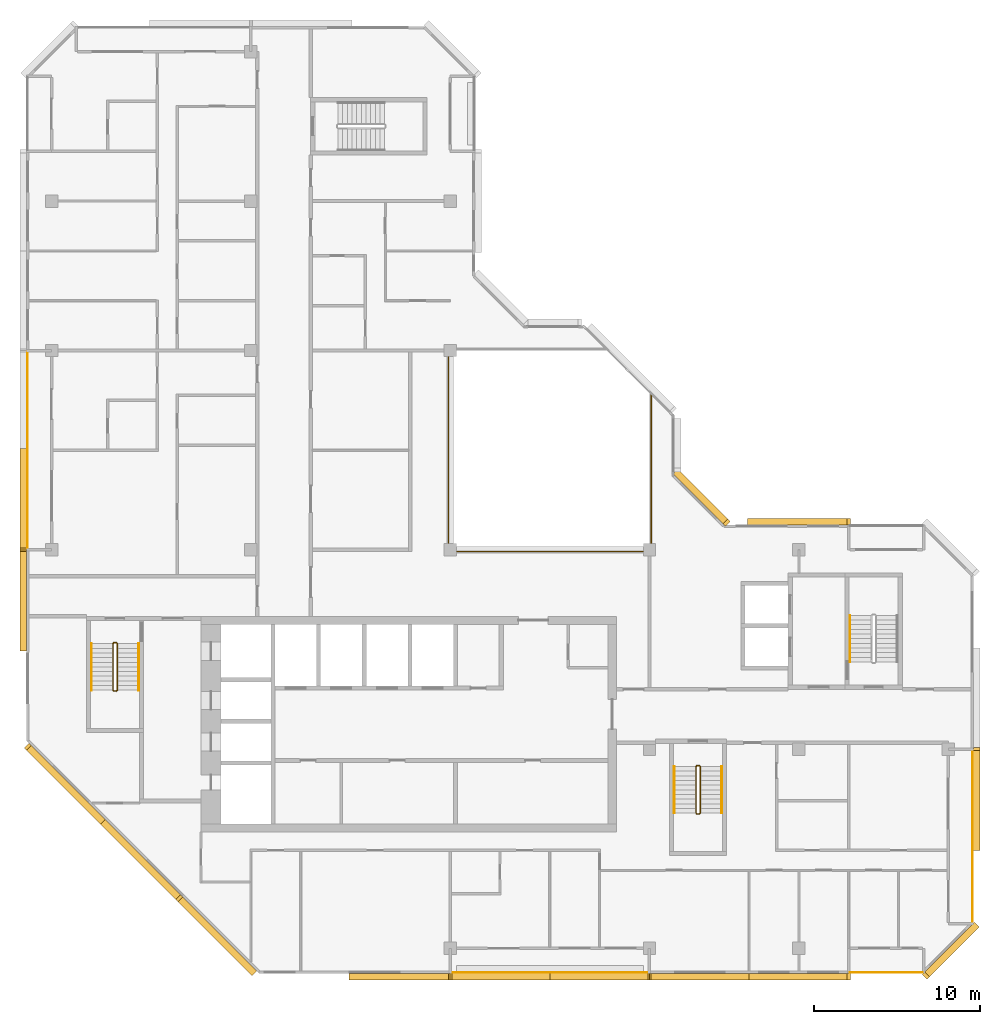
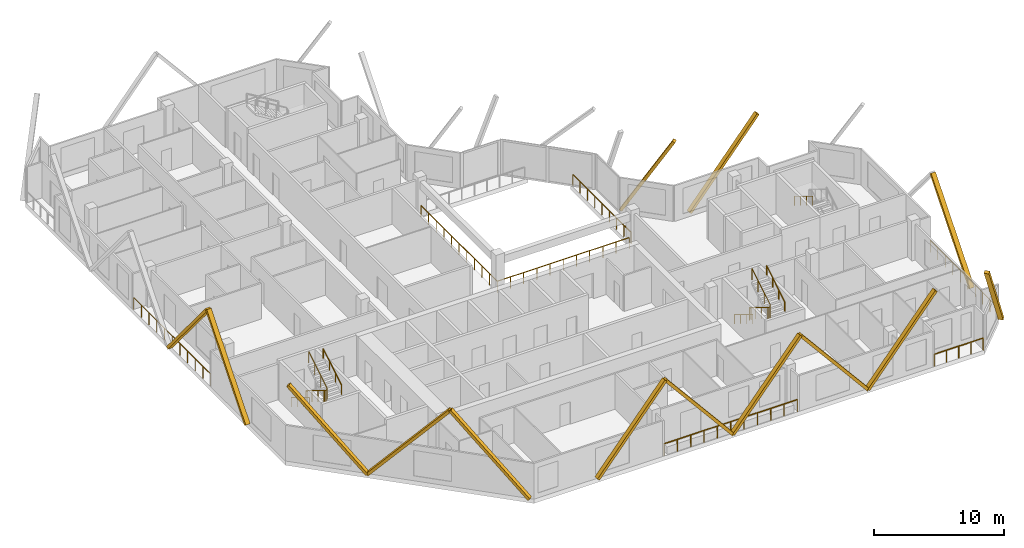
# One storey, part 11 of 12: 14 coverings, 13 railings.
"""IFC4 building model written with IfcOpenShell, lengths in metres."""

import ifcopenshell
import ifcopenshell.guid

model = None  # the IFC model being written
_history = None  # IfcOwnerHistory: only IFC2X3 demands one
_inside = {}  # id of a spatial element -> (the spatial element, [elements in it])
_under = {}  # id of a project, library or spatial element -> (it, [spatial elements below it])
_declared = {}  # id of a project -> (the project, [libraries it declares])
_typed = {}  # id of a type object -> (the type object, [elements of that type])
_made_of = {}  # id of a material, layer set ... -> (it, [elements and type objects made of it])


def new_model(schema):
    """Start an empty IFC model of exactly this schema.

    Asked for "IFC4X3", IfcOpenShell would pick the latest addendum, in which some entities
    have other attributes; the version numbers below select the first issue.
    IFC2X3 requires an IfcOwnerHistory on every rooted entity: one is made here for all.
    """
    global model, _history
    if schema == "IFC4X3":
        model = ifcopenshell.file(schema_version=(4, 3, 0, 0))
    else:
        model = ifcopenshell.file(schema=schema)
    _inside.clear()
    _under.clear()
    _declared.clear()
    _typed.clear()
    _made_of.clear()
    _history = None
    if model.schema == "IFC2X3":
        org = make("IfcOrganization", Name="unknown")
        user = make(
            "IfcPersonAndOrganization",
            ThePerson=make("IfcPerson", FamilyName="unknown"),
            TheOrganization=org,
        )
        app = make(
            "IfcApplication",
            ApplicationDeveloper=org,
            Version="unknown",
            ApplicationFullName="unknown",
            ApplicationIdentifier="unknown",
        )
        _history = make(
            "IfcOwnerHistory",
            OwningUser=user,
            OwningApplication=app,
            ChangeAction="ADDED",
            CreationDate=0,
        )
    return model


def make(cls, **values):
    """One entity of the class cls with the attributes given. An attribute that is None is left unset."""
    return model.create_entity(
        cls, **{name: value for name, value in values.items() if value is not None}
    )


def rooted(cls, **values):
    """An entity with a GlobalId (a new one), such as an element, a storey or a relation."""
    return make(cls, GlobalId=ifcopenshell.guid.new(), OwnerHistory=_history, **values)


def si_unit(unit_type, name, prefix=None):
    """IfcSIUnit, for example si_unit("LENGTHUNIT", "METRE", prefix="MILLI")."""
    return make("IfcSIUnit", UnitType=unit_type, Prefix=prefix, Name=name)


def assignment(units):
    """IfcUnitAssignment: the units of a project."""
    return None if units is None else make("IfcUnitAssignment", Units=units)


def point(xyz):
    """IfcCartesianPoint."""
    return None if xyz is None else make("IfcCartesianPoint", Coordinates=xyz)


def direction(xyz):
    """IfcDirection."""
    return None if xyz is None else make("IfcDirection", DirectionRatios=xyz)


def frame(location, z_axis=None, x_axis=None):
    """IfcAxis2Placement3D, a coordinate frame: its origin and axes. An axis left out is left unset."""
    return make(
        "IfcAxis2Placement3D",
        Location=point(location),
        Axis=direction(z_axis),
        RefDirection=direction(x_axis),
    )


def frame_2d(location, x_axis=None):
    """IfcAxis2Placement2D, a coordinate frame in the plane: its origin and x axis."""
    return make(
        "IfcAxis2Placement2D", Location=point(location), RefDirection=direction(x_axis)
    )


def origin():
    """The frame at (0, 0, 0) with its axes left unset."""
    return frame((0.0, 0.0, 0.0))


def origin_2d():
    """The frame at (0, 0) in the plane with its x axis left unset."""
    return frame_2d((0.0, 0.0))


def place(relative_to, where):
    """IfcLocalPlacement: puts the frame where relative to a parent placement (None: the world)."""
    return make(
        "IfcLocalPlacement", PlacementRelTo=relative_to, RelativePlacement=where
    )


def context(
    kind, dimensions, precision=None, world=None, true_north=None, identifier=None
):
    """IfcGeometricRepresentationContext, for example the 3D "Model" context."""
    return make(
        "IfcGeometricRepresentationContext",
        ContextIdentifier=identifier,
        ContextType=kind,
        CoordinateSpaceDimension=dimensions,
        Precision=precision,
        WorldCoordinateSystem=world,
        TrueNorth=true_north,
    )


def subcontext(parent, identifier, kind, view, scale=None):
    """IfcGeometricRepresentationSubContext, for example "Body" below "Model"."""
    return make(
        "IfcGeometricRepresentationSubContext",
        ContextIdentifier=identifier,
        ContextType=kind,
        ParentContext=parent,
        TargetScale=scale,
        TargetView=view,
    )


def project(units=None, contexts=None):
    """IfcProject with its units and contexts."""
    return rooted(
        "IfcProject",
        Name="project",
        RepresentationContexts=contexts,
        UnitsInContext=assignment(units),
    )


def spatial(cls, under=None, at=None, **own):
    """A site, building, storey or space (cls), placed at a placement, below another one or the project."""
    s = rooted(cls, ObjectPlacement=at, **own)
    if under is not None:
        _under.setdefault(under.id(), (under, []))[1].append(s)
    return s


def profile(cls, at=None, kind="AREA", **sizes):
    """A parametric profile (cls). Its sizes go by their IFC names, for example OverallWidth=200.0."""
    return make(cls, ProfileType=kind, Position=at, **sizes)


def rectangle(**sizes):
    """IfcRectangleProfileDef."""
    return profile("IfcRectangleProfileDef", **sizes)


def extrude(swept, where, along, depth):
    """IfcExtrudedAreaSolid: the profile swept, set in the frame where, extruded along a direction by depth."""
    return make(
        "IfcExtrudedAreaSolid",
        SweptArea=swept,
        Position=where,
        ExtrudedDirection=direction(along),
        Depth=depth,
    )


def shape(context_of_items, identifier, shape_type, items):
    """IfcShapeRepresentation: the items that make up one representation, for example the "Body"."""
    return make(
        "IfcShapeRepresentation",
        ContextOfItems=context_of_items,
        RepresentationIdentifier=identifier,
        RepresentationType=shape_type,
        Items=items,
    )


def material(Name=None, Category=None):
    """IfcMaterial."""
    return make("IfcMaterial", Name=Name, Category=Category)


def material_profile(
    of_material, cross_section, Name=None, Category=None, Priority=None
):
    """IfcMaterialProfile: a cross section and its material."""
    return make(
        "IfcMaterialProfile",
        Name=Name,
        Material=of_material,
        Profile=cross_section,
        Priority=Priority,
        Category=Category,
    )


def profile_set(profiles, Name=None, composite=None):
    """IfcMaterialProfileSet."""
    return make(
        "IfcMaterialProfileSet",
        Name=Name,
        MaterialProfiles=profiles,
        CompositeProfile=composite,
    )


def made_of(thing, what):
    """Note that an element or type object is made of a material, layer set ...; save() writes the relation."""
    if what is not None:
        _made_of.setdefault(what.id(), (what, []))[1].append(thing)
    return thing


def type_object(cls, material=None, **own):
    """A type object (cls), such as IfcWallType, which elements share."""
    return made_of(rooted(cls, **own), material)


def element(
    cls,
    number,
    at=None,
    inside=None,
    cuts=None,
    type_object=None,
    material=None,
    context=None,
    identifier="Body",
    shape_type=None,
    held_by="IfcProductDefinitionShape",
    body=None,
    shapes=None,
    **own,
):
    """One element of the class cls, such as IfcWall. Its Tag is "e" and its number.

    at: its placement. inside: the storey or other place that contains it. cuts: it is an
    opening in that element (IfcRelVoidsElement). A single representation is given by context,
    identifier, shape_type and body (its items); several are given by shapes. held_by: the class
    of the entity that holds the representations. save() writes the other relations.
    """
    e = rooted(cls, Tag="e%d" % number, ObjectPlacement=at, **own)
    if body is not None:
        shapes = [shape(context, identifier, shape_type, body)]
    if shapes is not None:
        e.Representation = make(held_by, Representations=shapes)
    if inside is not None:
        _inside.setdefault(inside.id(), (inside, []))[1].append(e)
    if cuts is not None:
        rooted(
            "IfcRelVoidsElement", RelatingBuildingElement=cuts, RelatedOpeningElement=e
        )
    if type_object is not None:
        _typed.setdefault(type_object.id(), (type_object, []))[1].append(e)
    return made_of(e, material)


def aggregate(whole, parts):
    """IfcRelAggregates: a whole, such as a stair, and the parts it consists of."""
    return rooted("IfcRelAggregates", RelatingObject=whole, RelatedObjects=parts)


def save(model, path):
    """Write the relations noted so far, then the file.

    IfcRelAggregates (storeys below a building ...), IfcRelContainedInSpatialStructure (elements
    in a storey), IfcRelDefinesByType, IfcRelAssociatesMaterial and IfcRelDeclares: one each for
    every whole, place, type object, material and project.
    """
    for whole, parts in _under.values():
        aggregate(whole, parts)
    for where, things in _inside.values():
        rooted(
            "IfcRelContainedInSpatialStructure",
            RelatedElements=things,
            RelatingStructure=where,
        )
    for kind, things in _typed.values():
        rooted("IfcRelDefinesByType", RelatedObjects=things, RelatingType=kind)
    for what, things in _made_of.values():
        rooted("IfcRelAssociatesMaterial", RelatedObjects=things, RelatingMaterial=what)
    for by, libraries in _declared.values():
        rooted("IfcRelDeclares", RelatingContext=by, RelatedDefinitions=libraries)
    model.write(path)


model = new_model("IFC4")

# Units and contexts
model_context = context("Model", 3, precision=1e-05, world=origin(), true_north=direction((0.0, 1.0)))
body_context = subcontext(model_context, "Body", "Model", "MODEL_VIEW")
ifc_project = project(units=[si_unit("LENGTHUNIT", "METRE"), si_unit("AREAUNIT", "SQUARE_METRE"), si_unit("VOLUMEUNIT", "CUBIC_METRE"), si_unit("PLANEANGLEUNIT", "RADIAN"), si_unit("MASSUNIT", "GRAM", prefix="KILO")], contexts=[model_context])

# Site, building, storey
site_placement = place(None, origin())
site = spatial("IfcSite", under=ifc_project, at=site_placement, CompositionType="ELEMENT")
building_placement = place(site_placement, origin())
building = spatial("IfcBuilding", under=site, at=building_placement, Name="Chenar Terraces", CompositionType="ELEMENT")
storey_placement = place(building_placement, frame((0.0, 0.0, 338.89990234375)))
storey = spatial("IfcBuildingStorey", under=building, at=storey_placement, Name="L78", CompositionType="ELEMENT", Elevation=338.89990234375)

# Railings
ifc_material_1 = material(Name="Powder-coated steel", Category="steel")
railing_type_1 = type_object("IfcRailingType", Name="Guard 1100 steel rail with glass infill", PredefinedType="GUARDRAIL", material=ifc_material_1)
railing_1_placement = place(storey_placement, frame((23.89990234375, 35.625, 0.0)))
element("IfcRailing", 1, at=railing_1_placement, inside=storey, type_object=railing_type_1, Name="Guard L78-1", PredefinedType="GUARDRAIL", context=body_context, shape_type="SweptSolid", body=[
    extrude(rectangle(XDim=0.06005859375, YDim=0.06005859375, at=origin_2d()), frame((0.0, 0.0, 1.070068359375), z_axis=(0.0, -1.0, 0.0), x_axis=(1.0, 0.0, 0.0)), (0.0, 0.0, 1.0), 11.72509765625),
    extrude(rectangle(XDim=0.06005859375, YDim=0.06005859375, at=origin_2d()), frame((0.0, -11.72509765625, 1.070068359375), z_axis=(1.0, 0.0, 0.0), x_axis=(0.0, 1.0, 0.0)), (0.0, 0.0, 1.0), 11.72509765625),
    extrude(rectangle(XDim=0.050048828125, YDim=0.050048828125, at=origin_2d()), origin(), (0.0, 0.0, 1.0), 1.0400390625),
    extrude(rectangle(XDim=0.050048828125, YDim=0.050048828125, at=origin_2d()), frame((0.0, -1.172607421875, 0.0)), (0.0, 0.0, 1.0), 1.0400390625),
    extrude(rectangle(XDim=0.050048828125, YDim=0.050048828125, at=origin_2d()), frame((0.0, -2.344970703125, 0.0)), (0.0, 0.0, 1.0), 1.0400390625),
    extrude(rectangle(XDim=0.050048828125, YDim=0.050048828125, at=origin_2d()), frame((0.0, -3.517578125, 0.0)), (0.0, 0.0, 1.0), 1.0400390625),
    extrude(rectangle(XDim=0.050048828125, YDim=0.050048828125, at=origin_2d()), frame((0.0, -4.68994140625, 0.0)), (0.0, 0.0, 1.0), 1.0400390625),
    extrude(rectangle(XDim=0.050048828125, YDim=0.050048828125, at=origin_2d()), frame((0.0, -5.862548828125, 0.0)), (0.0, 0.0, 1.0), 1.0400390625),
    extrude(rectangle(XDim=0.050048828125, YDim=0.050048828125, at=origin_2d()), frame((0.0, -7.03515625, 0.0)), (0.0, 0.0, 1.0), 1.0400390625),
    extrude(rectangle(XDim=0.050048828125, YDim=0.050048828125, at=origin_2d()), frame((0.0, -8.20751953125, 0.0)), (0.0, 0.0, 1.0), 1.0400390625),
    extrude(rectangle(XDim=0.050048828125, YDim=0.050048828125, at=origin_2d()), frame((0.0, -9.380126953125, 0.0)), (0.0, 0.0, 1.0), 1.0400390625),
    extrude(rectangle(XDim=0.050048828125, YDim=0.050048828125, at=origin_2d()), frame((0.0, -10.552490234375, 0.0)), (0.0, 0.0, 1.0), 1.0400390625),
    extrude(rectangle(XDim=0.050048828125, YDim=0.050048828125, at=origin_2d()), frame((0.0, -11.72509765625, 0.0)), (0.0, 0.0, 1.0), 1.0400390625),
    extrude(rectangle(XDim=0.050048828125, YDim=0.050048828125, at=origin_2d()), frame((1.172607421875, -11.72509765625, 0.0)), (0.0, 0.0, 1.0), 1.0400390625),
    extrude(rectangle(XDim=0.050048828125, YDim=0.050048828125, at=origin_2d()), frame((2.344970703125, -11.72509765625, 0.0)), (0.0, 0.0, 1.0), 1.0400390625),
    extrude(rectangle(XDim=0.050048828125, YDim=0.050048828125, at=origin_2d()), frame((3.517578125, -11.72509765625, 0.0)), (0.0, 0.0, 1.0), 1.0400390625),
    extrude(rectangle(XDim=0.050048828125, YDim=0.050048828125, at=origin_2d()), frame((4.68994140625, -11.72509765625, 0.0)), (0.0, 0.0, 1.0), 1.0400390625),
    extrude(rectangle(XDim=0.050048828125, YDim=0.050048828125, at=origin_2d()), frame((5.862548828125, -11.72509765625, 0.0)), (0.0, 0.0, 1.0), 1.0400390625),
    extrude(rectangle(XDim=0.050048828125, YDim=0.050048828125, at=origin_2d()), frame((7.03515625, -11.72509765625, 0.0)), (0.0, 0.0, 1.0), 1.0400390625),
    extrude(rectangle(XDim=0.050048828125, YDim=0.050048828125, at=origin_2d()), frame((8.20751953125, -11.72509765625, 0.0)), (0.0, 0.0, 1.0), 1.0400390625),
    extrude(rectangle(XDim=0.050048828125, YDim=0.050048828125, at=origin_2d()), frame((9.380126953125, -11.72509765625, 0.0)), (0.0, 0.0, 1.0), 1.0400390625),
    extrude(rectangle(XDim=0.050048828125, YDim=0.050048828125, at=origin_2d()), frame((10.552490234375, -11.72509765625, 0.0)), (0.0, 0.0, 1.0), 1.0400390625),
    extrude(rectangle(XDim=0.050048828125, YDim=0.050048828125, at=origin_2d()), frame((11.72509765625, -11.72509765625, 0.0)), (0.0, 0.0, 1.0), 1.0400390625),
])
railing_2_placement = place(storey_placement, frame((36.10009765625, 24.425048828125, 0.0)))
element("IfcRailing", 2, at=railing_2_placement, inside=storey, type_object=railing_type_1, Name="Guard L78-3", PredefinedType="GUARDRAIL", context=body_context, shape_type="SweptSolid", body=[
    extrude(rectangle(XDim=0.06005859375, YDim=0.06005859375, at=origin_2d()), frame((0.0, 0.0, 1.070068359375), z_axis=(0.0, 1.0, 0.0), x_axis=(-1.0, 0.0, 0.0)), (0.0, 0.0, 1.0), 8.974853515625),
    extrude(rectangle(XDim=0.050048828125, YDim=0.050048828125, at=origin_2d()), origin(), (0.0, 0.0, 1.0), 1.0400390625),
    extrude(rectangle(XDim=0.050048828125, YDim=0.050048828125, at=origin_2d()), frame((0.0, 1.121826171875, 0.0)), (0.0, 0.0, 1.0), 1.0400390625),
    extrude(rectangle(XDim=0.050048828125, YDim=0.050048828125, at=origin_2d()), frame((0.0, 2.24365234375, 0.0)), (0.0, 0.0, 1.0), 1.0400390625),
    extrude(rectangle(XDim=0.050048828125, YDim=0.050048828125, at=origin_2d()), frame((0.0, 3.365478515625, 0.0)), (0.0, 0.0, 1.0), 1.0400390625),
    extrude(rectangle(XDim=0.050048828125, YDim=0.050048828125, at=origin_2d()), frame((0.0, 4.4873046875, 0.0)), (0.0, 0.0, 1.0), 1.0400390625),
    extrude(rectangle(XDim=0.050048828125, YDim=0.050048828125, at=origin_2d()), frame((0.0, 5.609375, 0.0)), (0.0, 0.0, 1.0), 1.0400390625),
    extrude(rectangle(XDim=0.050048828125, YDim=0.050048828125, at=origin_2d()), frame((0.0, 6.731201171875, 0.0)), (0.0, 0.0, 1.0), 1.0400390625),
    extrude(rectangle(XDim=0.050048828125, YDim=0.050048828125, at=origin_2d()), frame((0.0, 7.85302734375, 0.0)), (0.0, 0.0, 1.0), 1.0400390625),
    extrude(rectangle(XDim=0.050048828125, YDim=0.050048828125, at=origin_2d()), frame((0.0, 8.974853515625, 0.0)), (0.0, 0.0, 1.0), 1.0400390625),
])
ifc_material_2 = material(Name="Stainless steel and glass", Category="steel")
railing_type_2 = type_object("IfcRailingType", Name="Loggia guard 1150", PredefinedType="GUARDRAIL", material=ifc_material_2)
railing_3_placement = place(storey_placement, frame((55.449951171875, 1.574951171875, 0.0)))
element("IfcRailing", 3, at=railing_3_placement, inside=storey, type_object=railing_type_2, Name="Loggia guard", PredefinedType="GUARDRAIL", context=body_context, shape_type="SweptSolid", body=[
    extrude(rectangle(XDim=0.048095703125, YDim=0.048095703125, at=origin_2d()), frame((0.0, 0.0, 1.1259765625), z_axis=(0.0, 1.0, 0.0), x_axis=(-1.0, 0.0, 0.0)), (0.0, 0.0, 1.0), 10.35009765625),
    extrude(rectangle(XDim=0.0419921875, YDim=0.0419921875, at=origin_2d()), origin(), (0.0, 0.0, 1.0), 1.101806640625),
    extrude(rectangle(XDim=0.0419921875, YDim=0.0419921875, at=origin_2d()), frame((0.0, 1.14990234375, 0.0)), (0.0, 0.0, 1.0), 1.101806640625),
    extrude(rectangle(XDim=0.0419921875, YDim=0.0419921875, at=origin_2d()), frame((0.0, 2.300048828125, 0.0)), (0.0, 0.0, 1.0), 1.101806640625),
    extrude(rectangle(XDim=0.0419921875, YDim=0.0419921875, at=origin_2d()), frame((0.0, 3.449951171875, 0.0)), (0.0, 0.0, 1.0), 1.101806640625),
    extrude(rectangle(XDim=0.0419921875, YDim=0.0419921875, at=origin_2d()), frame((0.0, 4.60009765625, 0.0)), (0.0, 0.0, 1.0), 1.101806640625),
    extrude(rectangle(XDim=0.0419921875, YDim=0.0419921875, at=origin_2d()), frame((0.0, 5.75, 0.0)), (0.0, 0.0, 1.0), 1.101806640625),
    extrude(rectangle(XDim=0.0419921875, YDim=0.0419921875, at=origin_2d()), frame((0.0, 6.900146484375, 0.0)), (0.0, 0.0, 1.0), 1.101806640625),
    extrude(rectangle(XDim=0.0419921875, YDim=0.0419921875, at=origin_2d()), frame((0.0, 8.050048828125, 0.0)), (0.0, 0.0, 1.0), 1.101806640625),
    extrude(rectangle(XDim=0.0419921875, YDim=0.0419921875, at=origin_2d()), frame((0.0, 9.2001953125, 0.0)), (0.0, 0.0, 1.0), 1.101806640625),
    extrude(rectangle(XDim=0.0419921875, YDim=0.0419921875, at=origin_2d()), frame((0.0, 10.35009765625, 0.0)), (0.0, 0.0, 1.0), 1.101806640625),
])
railing_4_placement = place(storey_placement, frame((24.074951171875, -1.449951171875, 0.0)))
element("IfcRailing", 4, at=railing_4_placement, inside=storey, type_object=railing_type_2, Name="Loggia guard", PredefinedType="GUARDRAIL", context=body_context, shape_type="SweptSolid", body=[
    extrude(rectangle(XDim=0.048095703125, YDim=0.048095703125, at=origin_2d()), frame((0.0, 0.0, 1.1259765625), z_axis=(1.0, 0.0, 0.0), x_axis=(0.0, 1.0, 0.0)), (0.0, 0.0, 1.0), 11.85009765625),
    extrude(rectangle(XDim=0.0419921875, YDim=0.0419921875, at=origin_2d()), origin(), (0.0, 0.0, 1.0), 1.101806640625),
    extrude(rectangle(XDim=0.0419921875, YDim=0.0419921875, at=origin_2d()), frame((1.18505859375, 0.0, 0.0)), (0.0, 0.0, 1.0), 1.101806640625),
    extrude(rectangle(XDim=0.0419921875, YDim=0.0419921875, at=origin_2d()), frame((2.3701171875, 0.0, 0.0)), (0.0, 0.0, 1.0), 1.101806640625),
    extrude(rectangle(XDim=0.0419921875, YDim=0.0419921875, at=origin_2d()), frame((3.554931640625, 0.0, 0.0)), (0.0, 0.0, 1.0), 1.101806640625),
    extrude(rectangle(XDim=0.0419921875, YDim=0.0419921875, at=origin_2d()), frame((4.739990234375, 0.0, 0.0)), (0.0, 0.0, 1.0), 1.101806640625),
    extrude(rectangle(XDim=0.0419921875, YDim=0.0419921875, at=origin_2d()), frame((5.925048828125, 0.0, 0.0)), (0.0, 0.0, 1.0), 1.101806640625),
    extrude(rectangle(XDim=0.0419921875, YDim=0.0419921875, at=origin_2d()), frame((7.110107421875, 0.0, 0.0)), (0.0, 0.0, 1.0), 1.101806640625),
    extrude(rectangle(XDim=0.0419921875, YDim=0.0419921875, at=origin_2d()), frame((8.295166015625, 0.0, 0.0)), (0.0, 0.0, 1.0), 1.101806640625),
    extrude(rectangle(XDim=0.0419921875, YDim=0.0419921875, at=origin_2d()), frame((9.47998046875, 0.0, 0.0)), (0.0, 0.0, 1.0), 1.101806640625),
    extrude(rectangle(XDim=0.0419921875, YDim=0.0419921875, at=origin_2d()), frame((10.6650390625, 0.0, 0.0)), (0.0, 0.0, 1.0), 1.101806640625),
    extrude(rectangle(XDim=0.0419921875, YDim=0.0419921875, at=origin_2d()), frame((11.85009765625, 0.0, 0.0)), (0.0, 0.0, 1.0), 1.101806640625),
])
railing_5_placement = place(storey_placement, frame((48.074951171875, -1.449951171875, 0.0)))
element("IfcRailing", 5, at=railing_5_placement, inside=storey, type_object=railing_type_2, Name="Loggia guard", PredefinedType="GUARDRAIL", context=body_context, shape_type="SweptSolid", body=[
    extrude(rectangle(XDim=0.048095703125, YDim=0.048095703125, at=origin_2d()), frame((0.0, 0.0, 1.1259765625), z_axis=(1.0, 0.0, 0.0), x_axis=(0.0, 1.0, 0.0)), (0.0, 0.0, 1.0), 4.35009765625),
    extrude(rectangle(XDim=0.0419921875, YDim=0.0419921875, at=origin_2d()), origin(), (0.0, 0.0, 1.0), 1.101806640625),
    extrude(rectangle(XDim=0.0419921875, YDim=0.0419921875, at=origin_2d()), frame((1.08740234375, 0.0, 0.0)), (0.0, 0.0, 1.0), 1.101806640625),
    extrude(rectangle(XDim=0.0419921875, YDim=0.0419921875, at=origin_2d()), frame((2.175048828125, 0.0, 0.0)), (0.0, 0.0, 1.0), 1.101806640625),
    extrude(rectangle(XDim=0.0419921875, YDim=0.0419921875, at=origin_2d()), frame((3.2626953125, 0.0, 0.0)), (0.0, 0.0, 1.0), 1.101806640625),
    extrude(rectangle(XDim=0.0419921875, YDim=0.0419921875, at=origin_2d()), frame((4.35009765625, 0.0, 0.0)), (0.0, 0.0, 1.0), 1.101806640625),
])
railing_6_placement = place(storey_placement, frame((-1.449951171875, 35.925048828125, 0.0)))
element("IfcRailing", 6, at=railing_6_placement, inside=storey, type_object=railing_type_2, Name="Loggia guard", PredefinedType="GUARDRAIL", context=body_context, shape_type="SweptSolid", body=[
    extrude(rectangle(XDim=0.048095703125, YDim=0.048095703125, at=origin_2d()), frame((0.0, 0.0, 1.1259765625), z_axis=(0.0, -1.0, 0.0), x_axis=(1.0, 0.0, 0.0)), (0.0, 0.0, 1.0), 11.85009765625),
    extrude(rectangle(XDim=0.0419921875, YDim=0.0419921875, at=origin_2d()), origin(), (0.0, 0.0, 1.0), 1.101806640625),
    extrude(rectangle(XDim=0.0419921875, YDim=0.0419921875, at=origin_2d()), frame((0.0, -1.18505859375, 0.0)), (0.0, 0.0, 1.0), 1.101806640625),
    extrude(rectangle(XDim=0.0419921875, YDim=0.0419921875, at=origin_2d()), frame((0.0, -2.3701171875, 0.0)), (0.0, 0.0, 1.0), 1.101806640625),
    extrude(rectangle(XDim=0.0419921875, YDim=0.0419921875, at=origin_2d()), frame((0.0, -3.554931640625, 0.0)), (0.0, 0.0, 1.0), 1.101806640625),
    extrude(rectangle(XDim=0.0419921875, YDim=0.0419921875, at=origin_2d()), frame((0.0, -4.739990234375, 0.0)), (0.0, 0.0, 1.0), 1.101806640625),
    extrude(rectangle(XDim=0.0419921875, YDim=0.0419921875, at=origin_2d()), frame((0.0, -5.925048828125, 0.0)), (0.0, 0.0, 1.0), 1.101806640625),
    extrude(rectangle(XDim=0.0419921875, YDim=0.0419921875, at=origin_2d()), frame((0.0, -7.110107421875, 0.0)), (0.0, 0.0, 1.0), 1.101806640625),
    extrude(rectangle(XDim=0.0419921875, YDim=0.0419921875, at=origin_2d()), frame((0.0, -8.295166015625, 0.0)), (0.0, 0.0, 1.0), 1.101806640625),
    extrude(rectangle(XDim=0.0419921875, YDim=0.0419921875, at=origin_2d()), frame((0.0, -9.47998046875, 0.0)), (0.0, 0.0, 1.0), 1.101806640625),
    extrude(rectangle(XDim=0.0419921875, YDim=0.0419921875, at=origin_2d()), frame((0.0, -10.6650390625, 0.0)), (0.0, 0.0, 1.0), 1.101806640625),
    extrude(rectangle(XDim=0.0419921875, YDim=0.0419921875, at=origin_2d()), frame((0.0, -11.85009765625, 0.0)), (0.0, 0.0, 1.0), 1.101806640625),
])
ifc_material_3 = material(Name="Powder-coated steel", Category="steel")
railing_type_3 = type_object("IfcRailingType", Name="Stair guard 1100", PredefinedType="GUARDRAIL", material=ifc_material_3)
railing_7_placement = place(storey_placement, frame((3.949951171875, 18.35009765625, 3.75)))
element("IfcRailing", 7, at=railing_7_placement, inside=storey, type_object=railing_type_3, Name="L78 ST1 stair guard 1", PredefinedType="GUARDRAIL", context=body_context, shape_type="SweptSolid", body=[
    extrude(rectangle(XDim=0.048095703125, YDim=0.048095703125, at=origin_2d()), frame((0.0, 0.0, 1.076171875), z_axis=(0.0, -0.854202870247, -0.519939858505), x_axis=(1.0, 0.0, 0.0)), (0.0, 0.0, 1.0), 3.278076171875),
    extrude(rectangle(XDim=0.048095703125, YDim=0.048095703125, at=origin_2d()), frame((0.0, -2.800048828125, -0.62841796875), z_axis=(-0.270899902878, -0.270899902878, -0.923702595667), x_axis=(0.707106781187, -0.707106781187, 0.0)), (0.0, 0.0, 1.0), 0.184814453125),
    extrude(rectangle(XDim=0.048095703125, YDim=0.048095703125, at=origin_2d()), frame((-0.050048828125, -2.85009765625, -0.798828125), z_axis=(-1.0, 0.0, 0.0), x_axis=(0.0, -1.0, 0.0)), (0.0, 0.0, 1.0), 0.14990234375),
    extrude(rectangle(XDim=0.048095703125, YDim=0.048095703125, at=origin_2d()), frame((-0.199951171875, -2.85009765625, -0.798828125), z_axis=(-0.707106781187, 0.707106781187, 0.0), x_axis=(-0.707106781187, -0.707106781187, 0.0)), (0.0, 0.0, 1.0), 0.07080078125),
    extrude(rectangle(XDim=0.048095703125, YDim=0.048095703125, at=origin_2d()), frame((-0.25, -2.800048828125, -0.798828125), z_axis=(0.0, 0.854202870247, -0.519939858505), x_axis=(-1.0, 0.0, 0.0)), (0.0, 0.0, 1.0), 3.278076171875),
    extrude(rectangle(XDim=0.048095703125, YDim=0.048095703125, at=origin_2d()), frame((-0.25, 0.0, -2.50341796875), z_axis=(0.270996696079, 0.269674760976, -0.924032636873), x_axis=(-0.705375805398, 0.708833529934, 0.0)), (0.0, 0.0, 1.0), 0.1845703125),
    extrude(rectangle(XDim=0.048095703125, YDim=0.048095703125, at=origin_2d()), frame((-0.199951171875, 0.0498046875, -2.673828125), z_axis=(1.0, 0.0, 0.0), x_axis=(0.0, 1.0, 0.0)), (0.0, 0.0, 1.0), 0.14990234375),
    extrude(rectangle(XDim=0.0419921875, YDim=0.0419921875, at=origin_2d()), origin(), (0.0, 0.0, 1.0), 1.052001953125),
    extrude(rectangle(XDim=0.0419921875, YDim=0.0419921875, at=origin_2d()), frame((0.0, -0.933349609375, -0.568115234375)), (0.0, 0.0, 1.0), 1.052001953125),
    extrude(rectangle(XDim=0.0419921875, YDim=0.0419921875, at=origin_2d()), frame((0.0, -1.86669921875, -1.13623046875)), (0.0, 0.0, 1.0), 1.052001953125),
    extrude(rectangle(XDim=0.0419921875, YDim=0.0419921875, at=origin_2d()), frame((0.0, -2.800048828125, -1.704345703125)), (0.0, 0.0, 1.0), 1.052001953125),
    extrude(rectangle(XDim=0.0419921875, YDim=0.0419921875, at=origin_2d()), frame((-0.050048828125, -2.85009765625, -1.875)), (0.0, 0.0, 1.0), 1.052001953125),
    extrude(rectangle(XDim=0.0419921875, YDim=0.0419921875, at=origin_2d()), frame((-0.199951171875, -2.85009765625, -1.875)), (0.0, 0.0, 1.0), 1.052001953125),
    extrude(rectangle(XDim=0.0419921875, YDim=0.0419921875, at=origin_2d()), frame((-0.25, -2.800048828125, -1.875)), (0.0, 0.0, 1.0), 1.052001953125),
    extrude(rectangle(XDim=0.0419921875, YDim=0.0419921875, at=origin_2d()), frame((-0.25, -1.86669921875, -2.443115234375)), (0.0, 0.0, 1.0), 1.052001953125),
    extrude(rectangle(XDim=0.0419921875, YDim=0.0419921875, at=origin_2d()), frame((-0.25, -0.933349609375, -3.01123046875)), (0.0, 0.0, 1.0), 1.052001953125),
    extrude(rectangle(XDim=0.0419921875, YDim=0.0419921875, at=origin_2d()), frame((-0.25, 0.0, -3.579345703125)), (0.0, 0.0, 1.0), 1.052001953125),
    extrude(rectangle(XDim=0.0419921875, YDim=0.0419921875, at=origin_2d()), frame((-0.199951171875, 0.0498046875, -3.75)), (0.0, 0.0, 1.0), 1.052001953125),
    extrude(rectangle(XDim=0.0419921875, YDim=0.0419921875, at=origin_2d()), frame((-0.050048828125, 0.0498046875, -3.75)), (0.0, 0.0, 1.0), 1.052001953125),
])
railing_8_placement = place(storey_placement, frame((39.050048828125, 10.949951171875, 3.75)))
element("IfcRailing", 8, at=railing_8_placement, inside=storey, type_object=railing_type_3, Name="L78 ST2 stair guard 1", PredefinedType="GUARDRAIL", context=body_context, shape_type="SweptSolid", body=[
    extrude(rectangle(XDim=0.048095703125, YDim=0.048095703125, at=origin_2d()), frame((0.0, 0.0, 1.076171875), z_axis=(0.0, -0.854202870247, -0.519939858505), x_axis=(1.0, 0.0, 0.0)), (0.0, 0.0, 1.0), 3.278076171875),
    extrude(rectangle(XDim=0.048095703125, YDim=0.048095703125, at=origin_2d()), frame((0.0, -2.800048828125, -0.62841796875), z_axis=(-0.270996696079, -0.269674760976, -0.924032636873), x_axis=(0.705375805398, -0.708833529934, 0.0)), (0.0, 0.0, 1.0), 0.1845703125),
    extrude(rectangle(XDim=0.048095703125, YDim=0.048095703125, at=origin_2d()), frame((-0.050048828125, -2.849853515625, -0.798828125), z_axis=(-1.0, 0.0, 0.0), x_axis=(0.0, -1.0, 0.0)), (0.0, 0.0, 1.0), 0.14990234375),
    extrude(rectangle(XDim=0.048095703125, YDim=0.048095703125, at=origin_2d()), frame((-0.199951171875, -2.849853515625, -0.798828125), z_axis=(-0.708833529934, 0.705375805398, 0.0), x_axis=(-0.705375805398, -0.708833529934, 0.0)), (0.0, 0.0, 1.0), 0.070556640625),
    extrude(rectangle(XDim=0.048095703125, YDim=0.048095703125, at=origin_2d()), frame((-0.25, -2.800048828125, -0.798828125), z_axis=(0.0, 0.854202870247, -0.519939858505), x_axis=(-1.0, 0.0, 0.0)), (0.0, 0.0, 1.0), 3.278076171875),
    extrude(rectangle(XDim=0.048095703125, YDim=0.048095703125, at=origin_2d()), frame((-0.25, 0.0, -2.50341796875), z_axis=(0.270899902878, 0.270899902878, -0.923702595667), x_axis=(-0.707106781187, 0.707106781187, 0.0)), (0.0, 0.0, 1.0), 0.184814453125),
    extrude(rectangle(XDim=0.048095703125, YDim=0.048095703125, at=origin_2d()), frame((-0.199951171875, 0.050048828125, -2.673828125), z_axis=(1.0, 0.0, 0.0), x_axis=(0.0, 1.0, 0.0)), (0.0, 0.0, 1.0), 0.14990234375),
    extrude(rectangle(XDim=0.0419921875, YDim=0.0419921875, at=origin_2d()), origin(), (0.0, 0.0, 1.0), 1.052001953125),
    extrude(rectangle(XDim=0.0419921875, YDim=0.0419921875, at=origin_2d()), frame((0.0, -0.933349609375, -0.568115234375)), (0.0, 0.0, 1.0), 1.052001953125),
    extrude(rectangle(XDim=0.0419921875, YDim=0.0419921875, at=origin_2d()), frame((0.0, -1.86669921875, -1.13623046875)), (0.0, 0.0, 1.0), 1.052001953125),
    extrude(rectangle(XDim=0.0419921875, YDim=0.0419921875, at=origin_2d()), frame((0.0, -2.800048828125, -1.704345703125)), (0.0, 0.0, 1.0), 1.052001953125),
    extrude(rectangle(XDim=0.0419921875, YDim=0.0419921875, at=origin_2d()), frame((-0.050048828125, -2.849853515625, -1.875)), (0.0, 0.0, 1.0), 1.052001953125),
    extrude(rectangle(XDim=0.0419921875, YDim=0.0419921875, at=origin_2d()), frame((-0.199951171875, -2.849853515625, -1.875)), (0.0, 0.0, 1.0), 1.052001953125),
    extrude(rectangle(XDim=0.0419921875, YDim=0.0419921875, at=origin_2d()), frame((-0.25, -2.800048828125, -1.875)), (0.0, 0.0, 1.0), 1.052001953125),
    extrude(rectangle(XDim=0.0419921875, YDim=0.0419921875, at=origin_2d()), frame((-0.25, -1.86669921875, -2.443115234375)), (0.0, 0.0, 1.0), 1.052001953125),
    extrude(rectangle(XDim=0.0419921875, YDim=0.0419921875, at=origin_2d()), frame((-0.25, -0.933349609375, -3.01123046875)), (0.0, 0.0, 1.0), 1.052001953125),
    extrude(rectangle(XDim=0.0419921875, YDim=0.0419921875, at=origin_2d()), frame((-0.25, 0.0, -3.579345703125)), (0.0, 0.0, 1.0), 1.052001953125),
    extrude(rectangle(XDim=0.0419921875, YDim=0.0419921875, at=origin_2d()), frame((-0.199951171875, 0.050048828125, -3.75)), (0.0, 0.0, 1.0), 1.052001953125),
    extrude(rectangle(XDim=0.0419921875, YDim=0.0419921875, at=origin_2d()), frame((-0.050048828125, 0.050048828125, -3.75)), (0.0, 0.0, 1.0), 1.052001953125),
])
ifc_material_4 = material(Name="Powder-coated steel", Category="steel")
railing_type_4 = type_object("IfcRailingType", Name="Stair handrail 900", PredefinedType="HANDRAIL", material=ifc_material_4)
railing_9_placement = place(storey_placement, frame((2.39990234375, 18.35009765625, 0.170654296875)))
element("IfcRailing", 9, at=railing_9_placement, inside=storey, type_object=railing_type_4, Name="L78 ST1 stair handrail 1", PredefinedType="HANDRAIL", context=body_context, shape_type="SweptSolid", body=[
    extrude(rectangle(XDim=0.048095703125, YDim=0.048095703125, at=origin_2d()), frame((0.0, 0.0, 0.8759765625), z_axis=(0.0, -0.854202870247, 0.519939858505), x_axis=(1.0, 0.0, 0.0)), (0.0, 0.0, 1.0), 3.278076171875),
    extrude(rectangle(XDim=0.0419921875, YDim=0.0419921875, at=origin_2d()), origin(), (0.0, 0.0, 1.0), 0.851806640625),
    extrude(rectangle(XDim=0.0419921875, YDim=0.0419921875, at=origin_2d()), frame((0.0, -0.933349609375, 0.568115234375)), (0.0, 0.0, 1.0), 0.851806640625),
    extrude(rectangle(XDim=0.0419921875, YDim=0.0419921875, at=origin_2d()), frame((0.0, -1.86669921875, 1.13623046875)), (0.0, 0.0, 1.0), 0.851806640625),
    extrude(rectangle(XDim=0.0419921875, YDim=0.0419921875, at=origin_2d()), frame((0.0, -2.800048828125, 1.704345703125)), (0.0, 0.0, 1.0), 0.851806640625),
])
railing_10_placement = place(storey_placement, frame((5.25, 15.550048828125, 2.045654296875)))
element("IfcRailing", 10, at=railing_10_placement, inside=storey, type_object=railing_type_4, Name="L78 ST1 stair handrail 2", PredefinedType="HANDRAIL", context=body_context, shape_type="SweptSolid", body=[
    extrude(rectangle(XDim=0.048095703125, YDim=0.048095703125, at=origin_2d()), frame((0.0, 0.0, 0.8759765625), z_axis=(0.0, 0.854202870247, 0.519939858505), x_axis=(-1.0, 0.0, 0.0)), (0.0, 0.0, 1.0), 3.278076171875),
    extrude(rectangle(XDim=0.0419921875, YDim=0.0419921875, at=origin_2d()), origin(), (0.0, 0.0, 1.0), 0.851806640625),
    extrude(rectangle(XDim=0.0419921875, YDim=0.0419921875, at=origin_2d()), frame((0.0, 0.933349609375, 0.568115234375)), (0.0, 0.0, 1.0), 0.851806640625),
    extrude(rectangle(XDim=0.0419921875, YDim=0.0419921875, at=origin_2d()), frame((0.0, 1.86669921875, 1.13623046875)), (0.0, 0.0, 1.0), 0.851806640625),
    extrude(rectangle(XDim=0.0419921875, YDim=0.0419921875, at=origin_2d()), frame((0.0, 2.800048828125, 1.704345703125)), (0.0, 0.0, 1.0), 0.851806640625),
])
railing_11_placement = place(storey_placement, frame((37.5, 10.949951171875, 0.170654296875)))
element("IfcRailing", 11, at=railing_11_placement, inside=storey, type_object=railing_type_4, Name="L78 ST2 stair handrail 1", PredefinedType="HANDRAIL", context=body_context, shape_type="SweptSolid", body=[
    extrude(rectangle(XDim=0.048095703125, YDim=0.048095703125, at=origin_2d()), frame((0.0, 0.0, 0.8759765625), z_axis=(0.0, -0.854202870247, 0.519939858505), x_axis=(1.0, 0.0, 0.0)), (0.0, 0.0, 1.0), 3.278076171875),
    extrude(rectangle(XDim=0.0419921875, YDim=0.0419921875, at=origin_2d()), origin(), (0.0, 0.0, 1.0), 0.851806640625),
    extrude(rectangle(XDim=0.0419921875, YDim=0.0419921875, at=origin_2d()), frame((0.0, -0.933349609375, 0.568115234375)), (0.0, 0.0, 1.0), 0.851806640625),
    extrude(rectangle(XDim=0.0419921875, YDim=0.0419921875, at=origin_2d()), frame((0.0, -1.86669921875, 1.13623046875)), (0.0, 0.0, 1.0), 0.851806640625),
    extrude(rectangle(XDim=0.0419921875, YDim=0.0419921875, at=origin_2d()), frame((0.0, -2.800048828125, 1.704345703125)), (0.0, 0.0, 1.0), 0.851806640625),
])
railing_12_placement = place(storey_placement, frame((40.35009765625, 8.14990234375, 2.045654296875)))
element("IfcRailing", 12, at=railing_12_placement, inside=storey, type_object=railing_type_4, Name="L78 ST2 stair handrail 2", PredefinedType="HANDRAIL", context=body_context, shape_type="SweptSolid", body=[
    extrude(rectangle(XDim=0.048095703125, YDim=0.048095703125, at=origin_2d()), frame((0.0, 0.0, 0.8759765625), z_axis=(0.0, 0.854202870247, 0.519939858505), x_axis=(-1.0, 0.0, 0.0)), (0.0, 0.0, 1.0), 3.278076171875),
    extrude(rectangle(XDim=0.0419921875, YDim=0.0419921875, at=origin_2d()), origin(), (0.0, 0.0, 1.0), 0.851806640625),
    extrude(rectangle(XDim=0.0419921875, YDim=0.0419921875, at=origin_2d()), frame((0.0, 0.933349609375, 0.568115234375)), (0.0, 0.0, 1.0), 0.851806640625),
    extrude(rectangle(XDim=0.0419921875, YDim=0.0419921875, at=origin_2d()), frame((0.0, 1.86669921875, 1.13623046875)), (0.0, 0.0, 1.0), 0.851806640625),
    extrude(rectangle(XDim=0.0419921875, YDim=0.0419921875, at=origin_2d()), frame((0.0, 2.800048828125, 1.704345703125)), (0.0, 0.0, 1.0), 0.851806640625),
])
railing_13_placement = place(storey_placement, frame((48.074951171875, 20.050048828125, 2.045654296875)))
element("IfcRailing", 13, at=railing_13_placement, inside=storey, type_object=railing_type_4, Name="L78 ST3 stair handrail 2", PredefinedType="HANDRAIL", context=body_context, shape_type="SweptSolid", body=[
    extrude(rectangle(XDim=0.048095703125, YDim=0.048095703125, at=origin_2d()), frame((0.0, 0.0, 0.8759765625), z_axis=(0.0, -0.854202870247, 0.519939858505), x_axis=(1.0, 0.0, 0.0)), (0.0, 0.0, 1.0), 3.278076171875),
    extrude(rectangle(XDim=0.0419921875, YDim=0.0419921875, at=origin_2d()), origin(), (0.0, 0.0, 1.0), 0.851806640625),
    extrude(rectangle(XDim=0.0419921875, YDim=0.0419921875, at=origin_2d()), frame((0.0, -0.933349609375, 0.568115234375)), (0.0, 0.0, 1.0), 0.851806640625),
    extrude(rectangle(XDim=0.0419921875, YDim=0.0419921875, at=origin_2d()), frame((0.0, -1.86669921875, 1.13623046875)), (0.0, 0.0, 1.0), 0.851806640625),
    extrude(rectangle(XDim=0.0419921875, YDim=0.0419921875, at=origin_2d()), frame((0.0, -2.800048828125, 1.704345703125)), (0.0, 0.0, 1.0), 0.851806640625),
])

# Coverings
ifc_material_5 = material(Name="Terracotta", Category="masonry")
ifc_material_profile = material_profile(ifc_material_5, rectangle(XDim=0.39990234375, YDim=0.25, at=origin_2d()), Name="Terracotta baguette 400 x 250")
ifc_profile_set = profile_set([ifc_material_profile], Name="Terracotta")
covering_type = type_object("IfcCoveringType", Name="Terracotta baguette 400 x 250", PredefinedType="CLADDING", material=ifc_profile_set)
covering_1_placement = place(storey_placement, frame((48.0, 25.699951171875, 7.35009765625), z_axis=(-0.640186961885, 0.0, -0.768219144407), x_axis=(0.0, -1.0, 0.0)))
element("IfcCovering", 14, at=covering_1_placement, inside=storey, type_object=covering_type, Name="Terracotta baguette", PredefinedType="CLADDING", context=body_context, shape_type="SweptSolid", body=[
    extrude(rectangle(XDim=0.39990234375, YDim=0.25, at=origin_2d()), origin(), (0.0, 0.0, 1.0), 9.372314453125),
])
covering_2_placement = place(storey_placement, frame((40.641357421875, 25.641357421875, 7.35009765625), z_axis=(-0.358980886355, 0.358980886355, -0.861548284464), x_axis=(-0.707106781187, -0.707106781187, 0.0)))
element("IfcCovering", 15, at=covering_2_placement, inside=storey, type_object=covering_type, Name="Terracotta baguette", PredefinedType="CLADDING", context=body_context, shape_type="SweptSolid", body=[
    extrude(rectangle(XDim=0.39990234375, YDim=0.25, at=origin_2d()), origin(), (0.0, 0.0, 1.0), 8.35693359375),
])
for number, where, z_axis, x_axis, name in (
    (16, (-1.699951171875, 30.0, 0.150146484375), (0.0, -0.640186961885, 0.768219144407), (1.0, 0.0, 0.0), "Terracotta baguette"),
    (17, (-1.699951171875, 24.0, 7.35009765625), (0.0, -0.640186961885, -0.768219144407), (1.0, 0.0, 0.0), "Terracotta baguette"),
):
    element("IfcCovering", number, at=place(storey_placement, frame(where, z_axis=z_axis, x_axis=x_axis)), inside=storey, type_object=covering_type, Name=name, PredefinedType="CLADDING", context=body_context, shape_type="SweptSolid", body=[
        extrude(rectangle(XDim=0.39990234375, YDim=0.25, at=origin_2d()), origin(), (0.0, 0.0, 1.0), 9.372314453125),
    ])
covering_3_placement = place(storey_placement, frame((-1.42919921875, 12.146484375, 7.35009765625), z_axis=(0.465604048687, -0.46562956823, -0.752596821038), x_axis=(0.707126158488, 0.707087403354, 0.0)))
element("IfcCovering", 18, at=covering_3_placement, inside=storey, type_object=covering_type, Name="Terracotta baguette", PredefinedType="CLADDING", context=body_context, shape_type="SweptSolid", body=[
    extrude(rectangle(XDim=0.39990234375, YDim=0.25, at=origin_2d()), origin(), (0.0, 0.0, 1.0), 9.56689453125),
])
covering_4_placement = place(storey_placement, frame((3.025146484375, 7.69189453125, 0.150146484375), z_axis=(0.477802509271, -0.477802509271, 0.73716315987), x_axis=(0.707106781187, 0.707106781187, 0.0)))
element("IfcCovering", 19, at=covering_4_placement, inside=storey, type_object=covering_type, Name="Terracotta baguette", PredefinedType="CLADDING", context=body_context, shape_type="SweptSolid", body=[
    extrude(rectangle(XDim=0.39990234375, YDim=0.25, at=origin_2d()), origin(), (0.0, 0.0, 1.0), 9.76708984375),
])
covering_5_placement = place(storey_placement, frame((7.69189453125, 3.025146484375, 7.35009765625), z_axis=(0.46562956823, -0.465604048687, -0.752596821038), x_axis=(0.707087403354, 0.707126158488, 0.0)))
element("IfcCovering", 20, at=covering_5_placement, inside=storey, type_object=covering_type, Name="Terracotta baguette", PredefinedType="CLADDING", context=body_context, shape_type="SweptSolid", body=[
    extrude(rectangle(XDim=0.39990234375, YDim=0.25, at=origin_2d()), origin(), (0.0, 0.0, 1.0), 9.56689453125),
])
for number, where, z_axis, x_axis, name in (
    (21, (18.0, -1.699951171875, 0.150146484375), (0.640186961885, 0.0, 0.768219144407), (0.0, 1.0, 0.0), "Terracotta baguette"),
    (22, (24.0, -1.699951171875, 7.35009765625), (0.640186961885, 0.0, -0.768219144407), (0.0, 1.0, 0.0), "Terracotta baguette"),
    (23, (30.0, -1.699951171875, 0.150146484375), (0.640186961885, 0.0, 0.768219144407), (0.0, 1.0, 0.0), "Terracotta baguette"),
    (24, (36.0, -1.699951171875, 7.35009765625), (0.640186961885, 0.0, -0.768219144407), (0.0, 1.0, 0.0), "Terracotta baguette"),
    (25, (42.0, -1.699951171875, 0.150146484375), (0.640186961885, 0.0, 0.768219144407), (0.0, 1.0, 0.0), "Terracotta baguette"),
):
    element("IfcCovering", number, at=place(storey_placement, frame(where, z_axis=z_axis, x_axis=x_axis)), inside=storey, type_object=covering_type, Name=name, PredefinedType="CLADDING", context=body_context, shape_type="SweptSolid", body=[
        extrude(rectangle(XDim=0.39990234375, YDim=0.25, at=origin_2d()), origin(), (0.0, 0.0, 1.0), 9.372314453125),
    ])
covering_6_placement = place(storey_placement, frame((52.641357421875, -1.641357421875, 7.35009765625), z_axis=(0.358980886355, 0.358980886355, -0.861548284464), x_axis=(-0.707106781187, 0.707106781187, 0.0)))
element("IfcCovering", 26, at=covering_6_placement, inside=storey, type_object=covering_type, Name="Terracotta baguette", PredefinedType="CLADDING", context=body_context, shape_type="SweptSolid", body=[
    extrude(rectangle(XDim=0.39990234375, YDim=0.25, at=origin_2d()), origin(), (0.0, 0.0, 1.0), 8.35693359375),
])
covering_7_placement = place(storey_placement, frame((55.699951171875, 6.0, 0.150146484375), z_axis=(0.0, 0.640186961885, 0.768219144407), x_axis=(-1.0, 0.0, 0.0)))
element("IfcCovering", 27, at=covering_7_placement, inside=storey, type_object=covering_type, Name="Terracotta baguette", PredefinedType="CLADDING", context=body_context, shape_type="SweptSolid", body=[
    extrude(rectangle(XDim=0.39990234375, YDim=0.25, at=origin_2d()), origin(), (0.0, 0.0, 1.0), 9.372314453125),
])

save(model, "model.ifc")
